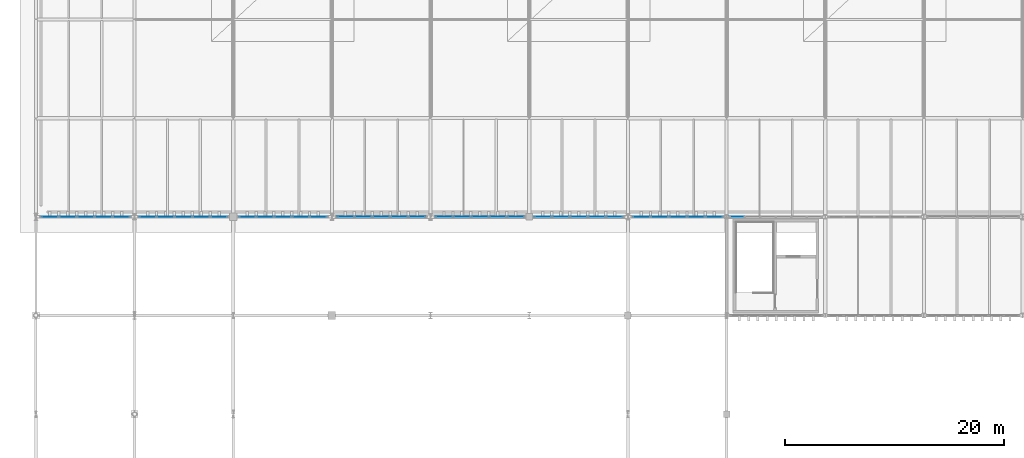
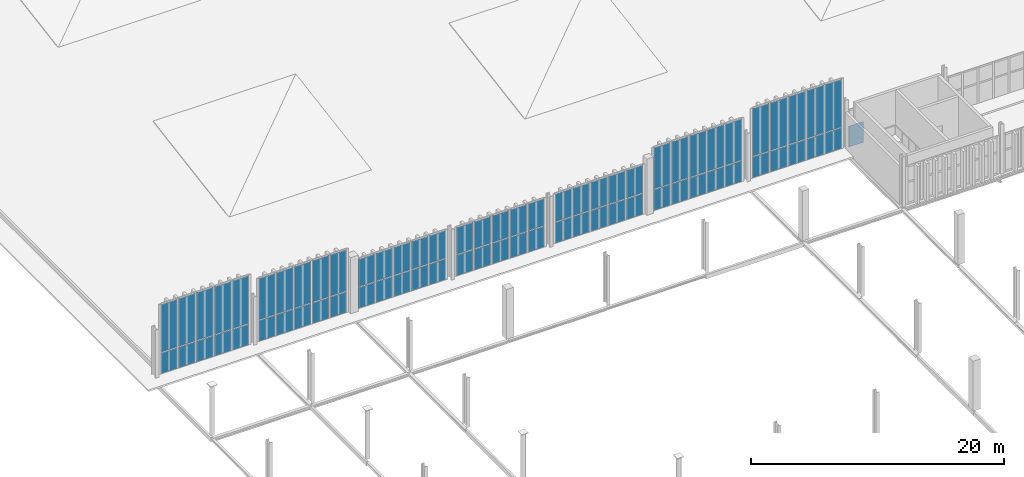
# One storey, part 157 of 196: 71 plates, 8 elements without a shape of their own.
"""IFC4 building model written with IfcOpenShell, lengths in metres."""

from ifc_helpers import new_model, si_unit, direction, frame, origin, origin_2d, place, context, subcontext, project, spatial, rectangle, extrude, material, layer, layer_set, type_object, element, aggregate, save


model = new_model("IFC4")

# Units and contexts
model_context = context("Model", 3, precision=1e-05, world=origin(), true_north=direction((0.0, 1.0)))
body_context = subcontext(model_context, "Body", "Model", "MODEL_VIEW")
ifc_project = project(units=[si_unit("LENGTHUNIT", "METRE"), si_unit("AREAUNIT", "SQUARE_METRE"), si_unit("VOLUMEUNIT", "CUBIC_METRE"), si_unit("PLANEANGLEUNIT", "RADIAN"), si_unit("MASSUNIT", "GRAM", prefix="KILO")], contexts=[model_context])

# Site, building, storey
site_placement = place(None, origin())
site = spatial("IfcSite", under=ifc_project, at=site_placement, CompositionType="ELEMENT")
building_placement = place(site_placement, origin())
building = spatial("IfcBuilding", under=site, at=building_placement, Name="Barlavento Convention Centre", CompositionType="ELEMENT")
storey_placement = place(building_placement, frame((0.0, 0.0, 18.0)))
storey = spatial("IfcBuildingStorey", under=building, at=storey_placement, Name="L03", CompositionType="ELEMENT", Elevation=18.0)

# Curtain wall, plate
ifc_material_1 = material(Name="Powder-coated aluminium and Low-E glass", Category="aluminium")
ifc_layer_1 = layer(ifc_material_1, 0.179931640625)
ifc_layer_set_1 = layer_set([ifc_layer_1], Name="ARC-CW-CONF-L03")
curtain_wall_type_1 = type_object("IfcCurtainWallType", Name="ARC-CW-CONF-L03", PredefinedType="NOTDEFINED", material=ifc_layer_set_1)
curtain_wall_1_placement = place(storey_placement, origin())
curtain_wall_1 = element("IfcCurtainWall", 1, at=curtain_wall_1_placement, inside=storey, type_object=curtain_wall_type_1, Name="L03 unitised curtain wall CW08", PredefinedType="NOTDEFINED")
ifc_material_2 = material(Name="Double-silver Low-E insulated glass", Category="glass")
ifc_layer_2 = layer(ifc_material_2, 0.028076171875)
ifc_layer_set_2 = layer_set([ifc_layer_2], Name="ARC-CWP-GLZ28")
plate_type_1 = type_object("IfcPlateType", Name="ARC-CWP-GLZ28", PredefinedType="CURTAIN_PANEL", material=ifc_layer_set_2)
plate_1_placement = place(storey_placement, frame((63.96240234375, 54.0, 0.06005859375), z_axis=(0.0, 0.0, 1.0), x_axis=(1.0, 0.0, 0.0)))
plate_1 = element("IfcPlate", 2, at=plate_1_placement, type_object=plate_type_1, Name="CW08 panel 1.1", PredefinedType="CURTAIN_PANEL", context=body_context, shape_type="SweptSolid", body=[
    extrude(rectangle(XDim=1.324951171875, YDim=0.028076171875, at=origin_2d()), origin(), (0.0, 0.0, 1.0), 2.010009765625),
])
aggregate(curtain_wall_1, [plate_1])

# Curtain wall, plates
ifc_layer_3 = layer(ifc_material_1, 0.18994140625)
ifc_layer_set_3 = layer_set([ifc_layer_3], Name="ARC-CW-CONG-L02")
curtain_wall_type_2 = type_object("IfcCurtainWallType", Name="ARC-CW-CONG-L02", PredefinedType="NOTDEFINED", material=ifc_layer_set_3)
curtain_wall_2_placement = place(storey_placement, origin())
curtain_wall_2 = element("IfcCurtainWall", 3, at=curtain_wall_2_placement, inside=storey, type_object=curtain_wall_type_2, Name="L03 unitised curtain wall CW02", PredefinedType="NOTDEFINED")
ifc_material_3 = material(Name="Triple-glazed typhoon vision glass", Category="glass")
ifc_layer_4 = layer(ifc_material_3, 0.035888671875)
ifc_layer_set_4 = layer_set([ifc_layer_4], Name="ARC-CWP-GLZ36")
plate_type_2 = type_object("IfcPlateType", Name="ARC-CWP-GLZ36", PredefinedType="CURTAIN_PANEL", material=ifc_layer_set_4)
plate_2_placement = place(storey_placement, frame((1.277099609375, 54.0, 0.169921875), z_axis=(0.0, 0.0, 1.0), x_axis=(1.0, 0.0, 0.0)))
plate_2 = element("IfcPlate", 4, at=plate_2_placement, type_object=plate_type_2, Name="CW02 panel 1.1", PredefinedType="CURTAIN_PANEL", context=body_context, shape_type="SweptSolid", body=[
    extrude(rectangle(XDim=1.5263671875, YDim=0.035888671875, at=origin_2d()), origin(), (0.0, 0.0, 1.0), 1.9951171875),
])
plate_3_placement = place(storey_placement, frame((1.277099609375, 54.0, 2.235107421875), z_axis=(0.0, 0.0, 1.0), x_axis=(1.0, 0.0, 0.0)))
plate_3 = element("IfcPlate", 5, at=plate_3_placement, type_object=plate_type_2, Name="CW02 panel 1.2", PredefinedType="CURTAIN_PANEL", context=body_context, shape_type="SweptSolid", body=[
    extrude(rectangle(XDim=1.5263671875, YDim=0.035888671875, at=origin_2d()), origin(), (0.0, 0.0, 1.0), 4.60595703125),
])
plate_4_placement = place(storey_placement, frame((2.897216796875, 54.0, 0.169921875), z_axis=(0.0, 0.0, 1.0), x_axis=(1.0, 0.0, 0.0)))
plate_4 = element("IfcPlate", 6, at=plate_4_placement, type_object=plate_type_2, Name="CW02 panel 2.1", PredefinedType="CURTAIN_PANEL", context=body_context, shape_type="SweptSolid", body=[
    extrude(rectangle(XDim=1.563720703125, YDim=0.035888671875, at=origin_2d()), origin(), (0.0, 0.0, 1.0), 1.9951171875),
])
plate_5_placement = place(storey_placement, frame((2.897216796875, 54.0, 2.235107421875), z_axis=(0.0, 0.0, 1.0), x_axis=(1.0, 0.0, 0.0)))
plate_5 = element("IfcPlate", 7, at=plate_5_placement, type_object=plate_type_2, Name="CW02 panel 2.2", PredefinedType="CURTAIN_PANEL", context=body_context, shape_type="SweptSolid", body=[
    extrude(rectangle(XDim=1.563720703125, YDim=0.035888671875, at=origin_2d()), origin(), (0.0, 0.0, 1.0), 4.60595703125),
])
plate_6_placement = place(storey_placement, frame((4.535888671875, 54.0, 0.169921875), z_axis=(0.0, 0.0, 1.0), x_axis=(1.0, 0.0, 0.0)))
plate_6 = element("IfcPlate", 8, at=plate_6_placement, type_object=plate_type_2, Name="CW02 panel 3.1", PredefinedType="CURTAIN_PANEL", context=body_context, shape_type="SweptSolid", body=[
    extrude(rectangle(XDim=1.563720703125, YDim=0.035888671875, at=origin_2d()), origin(), (0.0, 0.0, 1.0), 1.9951171875),
])
plate_7_placement = place(storey_placement, frame((4.535888671875, 54.0, 2.235107421875), z_axis=(0.0, 0.0, 1.0), x_axis=(1.0, 0.0, 0.0)))
plate_7 = element("IfcPlate", 9, at=plate_7_placement, type_object=plate_type_2, Name="CW02 panel 3.2", PredefinedType="CURTAIN_PANEL", context=body_context, shape_type="SweptSolid", body=[
    extrude(rectangle(XDim=1.563720703125, YDim=0.035888671875, at=origin_2d()), origin(), (0.0, 0.0, 1.0), 4.60595703125),
])
plate_8_placement = place(storey_placement, frame((6.1748046875, 54.0, 0.169921875), z_axis=(0.0, 0.0, 1.0), x_axis=(1.0, 0.0, 0.0)))
plate_8 = element("IfcPlate", 10, at=plate_8_placement, type_object=plate_type_2, Name="CW02 panel 4.1", PredefinedType="CURTAIN_PANEL", context=body_context, shape_type="SweptSolid", body=[
    extrude(rectangle(XDim=1.563720703125, YDim=0.035888671875, at=origin_2d()), origin(), (0.0, 0.0, 1.0), 1.9951171875),
])
plate_9_placement = place(storey_placement, frame((6.1748046875, 54.0, 2.235107421875), z_axis=(0.0, 0.0, 1.0), x_axis=(1.0, 0.0, 0.0)))
plate_9 = element("IfcPlate", 11, at=plate_9_placement, type_object=plate_type_2, Name="CW02 panel 4.2", PredefinedType="CURTAIN_PANEL", context=body_context, shape_type="SweptSolid", body=[
    extrude(rectangle(XDim=1.563720703125, YDim=0.035888671875, at=origin_2d()), origin(), (0.0, 0.0, 1.0), 4.60595703125),
])
plate_10_placement = place(storey_placement, frame((7.794921875, 54.0, 0.169921875), z_axis=(0.0, 0.0, 1.0), x_axis=(1.0, 0.0, 0.0)))
plate_10 = element("IfcPlate", 12, at=plate_10_placement, type_object=plate_type_2, Name="CW02 panel 5.1", PredefinedType="CURTAIN_PANEL", context=body_context, shape_type="SweptSolid", body=[
    extrude(rectangle(XDim=1.5263671875, YDim=0.035888671875, at=origin_2d()), origin(), (0.0, 0.0, 1.0), 1.9951171875),
])
plate_11_placement = place(storey_placement, frame((7.794921875, 54.0, 2.235107421875), z_axis=(0.0, 0.0, 1.0), x_axis=(1.0, 0.0, 0.0)))
plate_11 = element("IfcPlate", 13, at=plate_11_placement, type_object=plate_type_2, Name="CW02 panel 5.2", PredefinedType="CURTAIN_PANEL", context=body_context, shape_type="SweptSolid", body=[
    extrude(rectangle(XDim=1.5263671875, YDim=0.035888671875, at=origin_2d()), origin(), (0.0, 0.0, 1.0), 4.60595703125),
])
aggregate(curtain_wall_2, [plate_2, plate_3, plate_4, plate_5, plate_6, plate_7, plate_8, plate_9, plate_10, plate_11])

curtain_wall_3_placement = place(storey_placement, origin())
curtain_wall_3 = element("IfcCurtainWall", 14, at=curtain_wall_3_placement, inside=storey, type_object=curtain_wall_type_2, Name="L03 unitised curtain wall CW02", PredefinedType="NOTDEFINED")
plate_12_placement = place(storey_placement, frame((10.20361328125, 54.0, 0.169921875), z_axis=(0.0, 0.0, 1.0), x_axis=(1.0, 0.0, 0.0)))
plate_12 = element("IfcPlate", 15, at=plate_12_placement, type_object=plate_type_2, Name="CW02 panel 1.1", PredefinedType="CURTAIN_PANEL", context=body_context, shape_type="SweptSolid", body=[
    extrude(rectangle(XDim=1.523193359375, YDim=0.035888671875, at=origin_2d()), origin(), (0.0, 0.0, 1.0), 1.9951171875),
])
plate_13_placement = place(storey_placement, frame((10.20361328125, 54.0, 2.23486328125), z_axis=(0.0, 0.0, 1.0), x_axis=(1.0, 0.0, 0.0)))
plate_13 = element("IfcPlate", 16, at=plate_13_placement, type_object=plate_type_2, Name="CW02 panel 1.2", PredefinedType="CURTAIN_PANEL", context=body_context, shape_type="SweptSolid", body=[
    extrude(rectangle(XDim=1.523193359375, YDim=0.035888671875, at=origin_2d()), origin(), (0.0, 0.0, 1.0), 3.988037109375),
])
plate_14_placement = place(storey_placement, frame((11.8203125, 54.0, 0.169921875), z_axis=(0.0, 0.0, 1.0), x_axis=(1.0, 0.0, 0.0)))
plate_14 = element("IfcPlate", 17, at=plate_14_placement, type_object=plate_type_2, Name="CW02 panel 2.1", PredefinedType="CURTAIN_PANEL", context=body_context, shape_type="SweptSolid", body=[
    extrude(rectangle(XDim=1.560546875, YDim=0.035888671875, at=origin_2d()), origin(), (0.0, 0.0, 1.0), 1.9951171875),
])
plate_15_placement = place(storey_placement, frame((11.8203125, 54.0, 2.23486328125), z_axis=(0.0, 0.0, 1.0), x_axis=(1.0, 0.0, 0.0)))
plate_15 = element("IfcPlate", 18, at=plate_15_placement, type_object=plate_type_2, Name="CW02 panel 2.2", PredefinedType="CURTAIN_PANEL", context=body_context, shape_type="SweptSolid", body=[
    extrude(rectangle(XDim=1.560546875, YDim=0.035888671875, at=origin_2d()), origin(), (0.0, 0.0, 1.0), 3.988037109375),
])
plate_16_placement = place(storey_placement, frame((13.4560546875, 54.0, 0.169921875), z_axis=(0.0, 0.0, 1.0), x_axis=(1.0, 0.0, 0.0)))
plate_16 = element("IfcPlate", 19, at=plate_16_placement, type_object=plate_type_2, Name="CW02 panel 3.1", PredefinedType="CURTAIN_PANEL", context=body_context, shape_type="SweptSolid", body=[
    extrude(rectangle(XDim=1.560546875, YDim=0.035888671875, at=origin_2d()), origin(), (0.0, 0.0, 1.0), 1.9951171875),
])
plate_17_placement = place(storey_placement, frame((13.4560546875, 54.0, 2.23486328125), z_axis=(0.0, 0.0, 1.0), x_axis=(1.0, 0.0, 0.0)))
plate_17 = element("IfcPlate", 20, at=plate_17_placement, type_object=plate_type_2, Name="CW02 panel 3.2", PredefinedType="CURTAIN_PANEL", context=body_context, shape_type="SweptSolid", body=[
    extrude(rectangle(XDim=1.560546875, YDim=0.035888671875, at=origin_2d()), origin(), (0.0, 0.0, 1.0), 3.988037109375),
])
plate_18_placement = place(storey_placement, frame((15.091552734375, 54.0, 0.169921875), z_axis=(0.0, 0.0, 1.0), x_axis=(1.0, 0.0, 0.0)))
plate_18 = element("IfcPlate", 21, at=plate_18_placement, type_object=plate_type_2, Name="CW02 panel 4.1", PredefinedType="CURTAIN_PANEL", context=body_context, shape_type="SweptSolid", body=[
    extrude(rectangle(XDim=1.560546875, YDim=0.035888671875, at=origin_2d()), origin(), (0.0, 0.0, 1.0), 1.9951171875),
])
plate_19_placement = place(storey_placement, frame((15.091552734375, 54.0, 2.23486328125), z_axis=(0.0, 0.0, 1.0), x_axis=(1.0, 0.0, 0.0)))
plate_19 = element("IfcPlate", 22, at=plate_19_placement, type_object=plate_type_2, Name="CW02 panel 4.2", PredefinedType="CURTAIN_PANEL", context=body_context, shape_type="SweptSolid", body=[
    extrude(rectangle(XDim=1.560546875, YDim=0.035888671875, at=origin_2d()), origin(), (0.0, 0.0, 1.0), 3.988037109375),
])
plate_20_placement = place(storey_placement, frame((16.70849609375, 54.0, 0.169921875), z_axis=(0.0, 0.0, 1.0), x_axis=(1.0, 0.0, 0.0)))
plate_20 = element("IfcPlate", 23, at=plate_20_placement, type_object=plate_type_2, Name="CW02 panel 5.1", PredefinedType="CURTAIN_PANEL", context=body_context, shape_type="SweptSolid", body=[
    extrude(rectangle(XDim=1.523193359375, YDim=0.035888671875, at=origin_2d()), origin(), (0.0, 0.0, 1.0), 1.9951171875),
])
plate_21_placement = place(storey_placement, frame((16.70849609375, 54.0, 2.23486328125), z_axis=(0.0, 0.0, 1.0), x_axis=(1.0, 0.0, 0.0)))
plate_21 = element("IfcPlate", 24, at=plate_21_placement, type_object=plate_type_2, Name="CW02 panel 5.2", PredefinedType="CURTAIN_PANEL", context=body_context, shape_type="SweptSolid", body=[
    extrude(rectangle(XDim=1.523193359375, YDim=0.035888671875, at=origin_2d()), origin(), (0.0, 0.0, 1.0), 3.988037109375),
])
aggregate(curtain_wall_3, [plate_12, plate_13, plate_14, plate_15, plate_16, plate_17, plate_18, plate_19, plate_20, plate_21])

curtain_wall_4_placement = place(storey_placement, origin())
curtain_wall_4 = element("IfcCurtainWall", 25, at=curtain_wall_4_placement, inside=storey, type_object=curtain_wall_type_2, Name="L03 unitised curtain wall CW02", PredefinedType="NOTDEFINED")
plate_22_placement = place(storey_placement, frame((19.286865234375, 54.0, 0.169921875), z_axis=(0.0, 0.0, 1.0), x_axis=(1.0, 0.0, 0.0)))
plate_22 = element("IfcPlate", 26, at=plate_22_placement, type_object=plate_type_2, Name="CW02 panel 1.1", PredefinedType="CURTAIN_PANEL", context=body_context, shape_type="SweptSolid", body=[
    extrude(rectangle(XDim=1.513427734375, YDim=0.035888671875, at=origin_2d()), origin(), (0.0, 0.0, 1.0), 1.9951171875),
])
plate_23_placement = place(storey_placement, frame((19.286865234375, 54.0, 2.235107421875), z_axis=(0.0, 0.0, 1.0), x_axis=(1.0, 0.0, 0.0)))
plate_23 = element("IfcPlate", 27, at=plate_23_placement, type_object=plate_type_2, Name="CW02 panel 1.2", PredefinedType="CURTAIN_PANEL", context=body_context, shape_type="SweptSolid", body=[
    extrude(rectangle(XDim=1.513427734375, YDim=0.035888671875, at=origin_2d()), origin(), (0.0, 0.0, 1.0), 2.6708984375),
])
plate_24_placement = place(storey_placement, frame((20.89404296875, 54.0, 0.169921875), z_axis=(0.0, 0.0, 1.0), x_axis=(1.0, 0.0, 0.0)))
plate_24 = element("IfcPlate", 28, at=plate_24_placement, type_object=plate_type_2, Name="CW02 panel 2.1", PredefinedType="CURTAIN_PANEL", context=body_context, shape_type="SweptSolid", body=[
    extrude(rectangle(XDim=1.551025390625, YDim=0.035888671875, at=origin_2d()), origin(), (0.0, 0.0, 1.0), 1.9951171875),
])
plate_25_placement = place(storey_placement, frame((20.89404296875, 54.0, 2.235107421875), z_axis=(0.0, 0.0, 1.0), x_axis=(1.0, 0.0, 0.0)))
plate_25 = element("IfcPlate", 29, at=plate_25_placement, type_object=plate_type_2, Name="CW02 panel 2.2", PredefinedType="CURTAIN_PANEL", context=body_context, shape_type="SweptSolid", body=[
    extrude(rectangle(XDim=1.551025390625, YDim=0.035888671875, at=origin_2d()), origin(), (0.0, 0.0, 1.0), 2.6708984375),
])
plate_26_placement = place(storey_placement, frame((22.52001953125, 54.0, 0.169921875), z_axis=(0.0, 0.0, 1.0), x_axis=(1.0, 0.0, 0.0)))
plate_26 = element("IfcPlate", 30, at=plate_26_placement, type_object=plate_type_2, Name="CW02 panel 3.1", PredefinedType="CURTAIN_PANEL", context=body_context, shape_type="SweptSolid", body=[
    extrude(rectangle(XDim=1.551025390625, YDim=0.035888671875, at=origin_2d()), origin(), (0.0, 0.0, 1.0), 1.9951171875),
])
plate_27_placement = place(storey_placement, frame((22.52001953125, 54.0, 2.235107421875), z_axis=(0.0, 0.0, 1.0), x_axis=(1.0, 0.0, 0.0)))
plate_27 = element("IfcPlate", 31, at=plate_27_placement, type_object=plate_type_2, Name="CW02 panel 3.2", PredefinedType="CURTAIN_PANEL", context=body_context, shape_type="SweptSolid", body=[
    extrude(rectangle(XDim=1.551025390625, YDim=0.035888671875, at=origin_2d()), origin(), (0.0, 0.0, 1.0), 2.6708984375),
])
plate_28_placement = place(storey_placement, frame((24.14599609375, 54.0, 0.169921875), z_axis=(0.0, 0.0, 1.0), x_axis=(1.0, 0.0, 0.0)))
plate_28 = element("IfcPlate", 32, at=plate_28_placement, type_object=plate_type_2, Name="CW02 panel 4.1", PredefinedType="CURTAIN_PANEL", context=body_context, shape_type="SweptSolid", body=[
    extrude(rectangle(XDim=1.551025390625, YDim=0.035888671875, at=origin_2d()), origin(), (0.0, 0.0, 1.0), 1.9951171875),
])
plate_29_placement = place(storey_placement, frame((24.14599609375, 54.0, 2.235107421875), z_axis=(0.0, 0.0, 1.0), x_axis=(1.0, 0.0, 0.0)))
plate_29 = element("IfcPlate", 33, at=plate_29_placement, type_object=plate_type_2, Name="CW02 panel 4.2", PredefinedType="CURTAIN_PANEL", context=body_context, shape_type="SweptSolid", body=[
    extrude(rectangle(XDim=1.551025390625, YDim=0.035888671875, at=origin_2d()), origin(), (0.0, 0.0, 1.0), 2.6708984375),
])
plate_30_placement = place(storey_placement, frame((25.753173828125, 54.0, 0.169921875), z_axis=(0.0, 0.0, 1.0), x_axis=(1.0, 0.0, 0.0)))
plate_30 = element("IfcPlate", 34, at=plate_30_placement, type_object=plate_type_2, Name="CW02 panel 5.1", PredefinedType="CURTAIN_PANEL", context=body_context, shape_type="SweptSolid", body=[
    extrude(rectangle(XDim=1.513427734375, YDim=0.035888671875, at=origin_2d()), origin(), (0.0, 0.0, 1.0), 1.9951171875),
])
plate_31_placement = place(storey_placement, frame((25.753173828125, 54.0, 2.235107421875), z_axis=(0.0, 0.0, 1.0), x_axis=(1.0, 0.0, 0.0)))
plate_31 = element("IfcPlate", 35, at=plate_31_placement, type_object=plate_type_2, Name="CW02 panel 5.2", PredefinedType="CURTAIN_PANEL", context=body_context, shape_type="SweptSolid", body=[
    extrude(rectangle(XDim=1.513427734375, YDim=0.035888671875, at=origin_2d()), origin(), (0.0, 0.0, 1.0), 2.6708984375),
])
aggregate(curtain_wall_4, [plate_22, plate_23, plate_24, plate_25, plate_26, plate_27, plate_28, plate_29, plate_30, plate_31])

curtain_wall_5_placement = place(storey_placement, origin())
curtain_wall_5 = element("IfcCurtainWall", 36, at=curtain_wall_5_placement, inside=storey, type_object=curtain_wall_type_2, Name="L03 unitised curtain wall CW02", PredefinedType="NOTDEFINED")
plate_32_placement = place(storey_placement, frame((28.251708984375, 54.0, 0.169921875), z_axis=(0.0, 0.0, 1.0), x_axis=(1.0, 0.0, 0.0)))
plate_32 = element("IfcPlate", 37, at=plate_32_placement, type_object=plate_type_2, Name="CW02 panel 1.1", PredefinedType="CURTAIN_PANEL", context=body_context, shape_type="SweptSolid", body=[
    extrude(rectangle(XDim=1.5234375, YDim=0.035888671875, at=origin_2d()), origin(), (0.0, 0.0, 1.0), 1.9951171875),
])
plate_33_placement = place(storey_placement, frame((28.251708984375, 54.0, 2.235107421875), z_axis=(0.0, 0.0, 1.0), x_axis=(1.0, 0.0, 0.0)))
plate_33 = element("IfcPlate", 38, at=plate_33_placement, type_object=plate_type_2, Name="CW02 panel 1.2", PredefinedType="CURTAIN_PANEL", context=body_context, shape_type="SweptSolid", body=[
    extrude(rectangle(XDim=1.5234375, YDim=0.035888671875, at=origin_2d()), origin(), (0.0, 0.0, 1.0), 2.583984375),
])
plate_34_placement = place(storey_placement, frame((29.868896484375, 54.0, 0.169921875), z_axis=(0.0, 0.0, 1.0), x_axis=(1.0, 0.0, 0.0)))
plate_34 = element("IfcPlate", 39, at=plate_34_placement, type_object=plate_type_2, Name="CW02 panel 2.1", PredefinedType="CURTAIN_PANEL", context=body_context, shape_type="SweptSolid", body=[
    extrude(rectangle(XDim=1.56103515625, YDim=0.035888671875, at=origin_2d()), origin(), (0.0, 0.0, 1.0), 1.9951171875),
])
plate_35_placement = place(storey_placement, frame((29.868896484375, 54.0, 2.235107421875), z_axis=(0.0, 0.0, 1.0), x_axis=(1.0, 0.0, 0.0)))
plate_35 = element("IfcPlate", 40, at=plate_35_placement, type_object=plate_type_2, Name="CW02 panel 2.2", PredefinedType="CURTAIN_PANEL", context=body_context, shape_type="SweptSolid", body=[
    extrude(rectangle(XDim=1.56103515625, YDim=0.035888671875, at=origin_2d()), origin(), (0.0, 0.0, 1.0), 2.583984375),
])
plate_36_placement = place(storey_placement, frame((31.5048828125, 54.0, 0.169921875), z_axis=(0.0, 0.0, 1.0), x_axis=(1.0, 0.0, 0.0)))
plate_36 = element("IfcPlate", 41, at=plate_36_placement, type_object=plate_type_2, Name="CW02 panel 3.1", PredefinedType="CURTAIN_PANEL", context=body_context, shape_type="SweptSolid", body=[
    extrude(rectangle(XDim=1.56103515625, YDim=0.035888671875, at=origin_2d()), origin(), (0.0, 0.0, 1.0), 1.9951171875),
])
plate_37_placement = place(storey_placement, frame((31.5048828125, 54.0, 2.235107421875), z_axis=(0.0, 0.0, 1.0), x_axis=(1.0, 0.0, 0.0)))
plate_37 = element("IfcPlate", 42, at=plate_37_placement, type_object=plate_type_2, Name="CW02 panel 3.2", PredefinedType="CURTAIN_PANEL", context=body_context, shape_type="SweptSolid", body=[
    extrude(rectangle(XDim=1.56103515625, YDim=0.035888671875, at=origin_2d()), origin(), (0.0, 0.0, 1.0), 2.583984375),
])
plate_38_placement = place(storey_placement, frame((33.14111328125, 54.0, 0.169921875), z_axis=(0.0, 0.0, 1.0), x_axis=(1.0, 0.0, 0.0)))
plate_38 = element("IfcPlate", 43, at=plate_38_placement, type_object=plate_type_2, Name="CW02 panel 4.1", PredefinedType="CURTAIN_PANEL", context=body_context, shape_type="SweptSolid", body=[
    extrude(rectangle(XDim=1.56103515625, YDim=0.035888671875, at=origin_2d()), origin(), (0.0, 0.0, 1.0), 1.9951171875),
])
plate_39_placement = place(storey_placement, frame((33.14111328125, 54.0, 2.235107421875), z_axis=(0.0, 0.0, 1.0), x_axis=(1.0, 0.0, 0.0)))
plate_39 = element("IfcPlate", 44, at=plate_39_placement, type_object=plate_type_2, Name="CW02 panel 4.2", PredefinedType="CURTAIN_PANEL", context=body_context, shape_type="SweptSolid", body=[
    extrude(rectangle(XDim=1.56103515625, YDim=0.035888671875, at=origin_2d()), origin(), (0.0, 0.0, 1.0), 2.583984375),
])
plate_40_placement = place(storey_placement, frame((34.75830078125, 54.0, 0.169921875), z_axis=(0.0, 0.0, 1.0), x_axis=(1.0, 0.0, 0.0)))
plate_40 = element("IfcPlate", 45, at=plate_40_placement, type_object=plate_type_2, Name="CW02 panel 5.1", PredefinedType="CURTAIN_PANEL", context=body_context, shape_type="SweptSolid", body=[
    extrude(rectangle(XDim=1.5234375, YDim=0.035888671875, at=origin_2d()), origin(), (0.0, 0.0, 1.0), 1.9951171875),
])
plate_41_placement = place(storey_placement, frame((34.75830078125, 54.0, 2.235107421875), z_axis=(0.0, 0.0, 1.0), x_axis=(1.0, 0.0, 0.0)))
plate_41 = element("IfcPlate", 46, at=plate_41_placement, type_object=plate_type_2, Name="CW02 panel 5.2", PredefinedType="CURTAIN_PANEL", context=body_context, shape_type="SweptSolid", body=[
    extrude(rectangle(XDim=1.5234375, YDim=0.035888671875, at=origin_2d()), origin(), (0.0, 0.0, 1.0), 2.583984375),
])
aggregate(curtain_wall_5, [plate_32, plate_33, plate_34, plate_35, plate_36, plate_37, plate_38, plate_39, plate_40, plate_41])

curtain_wall_6_placement = place(storey_placement, origin())
curtain_wall_6 = element("IfcCurtainWall", 47, at=curtain_wall_6_placement, inside=storey, type_object=curtain_wall_type_2, Name="L03 unitised curtain wall CW02", PredefinedType="NOTDEFINED")
plate_42_placement = place(storey_placement, frame((37.24267578125, 54.0, 0.169921875), z_axis=(0.0, 0.0, 1.0), x_axis=(1.0, 0.0, 0.0)))
plate_42 = element("IfcPlate", 48, at=plate_42_placement, type_object=plate_type_2, Name="CW02 panel 1.1", PredefinedType="CURTAIN_PANEL", context=body_context, shape_type="SweptSolid", body=[
    extrude(rectangle(XDim=1.525390625, YDim=0.035888671875, at=origin_2d()), origin(), (0.0, 0.0, 1.0), 1.9951171875),
])
plate_43_placement = place(storey_placement, frame((37.24267578125, 54.0, 2.235107421875), z_axis=(0.0, 0.0, 1.0), x_axis=(1.0, 0.0, 0.0)))
plate_43 = element("IfcPlate", 49, at=plate_43_placement, type_object=plate_type_2, Name="CW02 panel 1.2", PredefinedType="CURTAIN_PANEL", context=body_context, shape_type="SweptSolid", body=[
    extrude(rectangle(XDim=1.525390625, YDim=0.035888671875, at=origin_2d()), origin(), (0.0, 0.0, 1.0), 2.6708984375),
])
plate_44_placement = place(storey_placement, frame((38.862060546875, 54.0, 0.169921875), z_axis=(0.0, 0.0, 1.0), x_axis=(1.0, 0.0, 0.0)))
plate_44 = element("IfcPlate", 50, at=plate_44_placement, type_object=plate_type_2, Name="CW02 panel 2.1", PredefinedType="CURTAIN_PANEL", context=body_context, shape_type="SweptSolid", body=[
    extrude(rectangle(XDim=1.56298828125, YDim=0.035888671875, at=origin_2d()), origin(), (0.0, 0.0, 1.0), 1.9951171875),
])
plate_45_placement = place(storey_placement, frame((38.862060546875, 54.0, 2.235107421875), z_axis=(0.0, 0.0, 1.0), x_axis=(1.0, 0.0, 0.0)))
plate_45 = element("IfcPlate", 51, at=plate_45_placement, type_object=plate_type_2, Name="CW02 panel 2.2", PredefinedType="CURTAIN_PANEL", context=body_context, shape_type="SweptSolid", body=[
    extrude(rectangle(XDim=1.56298828125, YDim=0.035888671875, at=origin_2d()), origin(), (0.0, 0.0, 1.0), 2.6708984375),
])
plate_46_placement = place(storey_placement, frame((40.5, 54.0, 0.169921875), z_axis=(0.0, 0.0, 1.0), x_axis=(1.0, 0.0, 0.0)))
plate_46 = element("IfcPlate", 52, at=plate_46_placement, type_object=plate_type_2, Name="CW02 panel 3.1", PredefinedType="CURTAIN_PANEL", context=body_context, shape_type="SweptSolid", body=[
    extrude(rectangle(XDim=1.56298828125, YDim=0.035888671875, at=origin_2d()), origin(), (0.0, 0.0, 1.0), 1.9951171875),
])
plate_47_placement = place(storey_placement, frame((40.5, 54.0, 2.235107421875), z_axis=(0.0, 0.0, 1.0), x_axis=(1.0, 0.0, 0.0)))
plate_47 = element("IfcPlate", 53, at=plate_47_placement, type_object=plate_type_2, Name="CW02 panel 3.2", PredefinedType="CURTAIN_PANEL", context=body_context, shape_type="SweptSolid", body=[
    extrude(rectangle(XDim=1.56298828125, YDim=0.035888671875, at=origin_2d()), origin(), (0.0, 0.0, 1.0), 2.6708984375),
])
plate_48_placement = place(storey_placement, frame((42.137939453125, 54.0, 0.169921875), z_axis=(0.0, 0.0, 1.0), x_axis=(1.0, 0.0, 0.0)))
plate_48 = element("IfcPlate", 54, at=plate_48_placement, type_object=plate_type_2, Name="CW02 panel 4.1", PredefinedType="CURTAIN_PANEL", context=body_context, shape_type="SweptSolid", body=[
    extrude(rectangle(XDim=1.56298828125, YDim=0.035888671875, at=origin_2d()), origin(), (0.0, 0.0, 1.0), 1.9951171875),
])
plate_49_placement = place(storey_placement, frame((42.137939453125, 54.0, 2.235107421875), z_axis=(0.0, 0.0, 1.0), x_axis=(1.0, 0.0, 0.0)))
plate_49 = element("IfcPlate", 55, at=plate_49_placement, type_object=plate_type_2, Name="CW02 panel 4.2", PredefinedType="CURTAIN_PANEL", context=body_context, shape_type="SweptSolid", body=[
    extrude(rectangle(XDim=1.56298828125, YDim=0.035888671875, at=origin_2d()), origin(), (0.0, 0.0, 1.0), 2.6708984375),
])
plate_50_placement = place(storey_placement, frame((43.75732421875, 54.0, 0.169921875), z_axis=(0.0, 0.0, 1.0), x_axis=(1.0, 0.0, 0.0)))
plate_50 = element("IfcPlate", 56, at=plate_50_placement, type_object=plate_type_2, Name="CW02 panel 5.1", PredefinedType="CURTAIN_PANEL", context=body_context, shape_type="SweptSolid", body=[
    extrude(rectangle(XDim=1.525390625, YDim=0.035888671875, at=origin_2d()), origin(), (0.0, 0.0, 1.0), 1.9951171875),
])
plate_51_placement = place(storey_placement, frame((43.75732421875, 54.0, 2.235107421875), z_axis=(0.0, 0.0, 1.0), x_axis=(1.0, 0.0, 0.0)))
plate_51 = element("IfcPlate", 57, at=plate_51_placement, type_object=plate_type_2, Name="CW02 panel 5.2", PredefinedType="CURTAIN_PANEL", context=body_context, shape_type="SweptSolid", body=[
    extrude(rectangle(XDim=1.525390625, YDim=0.035888671875, at=origin_2d()), origin(), (0.0, 0.0, 1.0), 2.6708984375),
])
aggregate(curtain_wall_6, [plate_42, plate_43, plate_44, plate_45, plate_46, plate_47, plate_48, plate_49, plate_50, plate_51])

curtain_wall_7_placement = place(storey_placement, origin())
curtain_wall_7 = element("IfcCurtainWall", 58, at=curtain_wall_7_placement, inside=storey, type_object=curtain_wall_type_2, Name="L03 unitised curtain wall CW02", PredefinedType="NOTDEFINED")
plate_52_placement = place(storey_placement, frame((46.244140625, 54.0, 0.169921875), z_axis=(0.0, 0.0, 1.0), x_axis=(1.0, 0.0, 0.0)))
plate_52 = element("IfcPlate", 59, at=plate_52_placement, type_object=plate_type_2, Name="CW02 panel 1.1", PredefinedType="CURTAIN_PANEL", context=body_context, shape_type="SweptSolid", body=[
    extrude(rectangle(XDim=1.5283203125, YDim=0.035888671875, at=origin_2d()), origin(), (0.0, 0.0, 1.0), 1.9951171875),
])
plate_53_placement = place(storey_placement, frame((46.244140625, 54.0, 2.23486328125), z_axis=(0.0, 0.0, 1.0), x_axis=(1.0, 0.0, 0.0)))
plate_53 = element("IfcPlate", 60, at=plate_53_placement, type_object=plate_type_2, Name="CW02 panel 1.2", PredefinedType="CURTAIN_PANEL", context=body_context, shape_type="SweptSolid", body=[
    extrude(rectangle(XDim=1.5283203125, YDim=0.035888671875, at=origin_2d()), origin(), (0.0, 0.0, 1.0), 3.988037109375),
])
plate_54_placement = place(storey_placement, frame((47.8662109375, 54.0, 0.169921875), z_axis=(0.0, 0.0, 1.0), x_axis=(1.0, 0.0, 0.0)))
plate_54 = element("IfcPlate", 61, at=plate_54_placement, type_object=plate_type_2, Name="CW02 panel 2.1", PredefinedType="CURTAIN_PANEL", context=body_context, shape_type="SweptSolid", body=[
    extrude(rectangle(XDim=1.56591796875, YDim=0.035888671875, at=origin_2d()), origin(), (0.0, 0.0, 1.0), 1.9951171875),
])
plate_55_placement = place(storey_placement, frame((47.8662109375, 54.0, 2.23486328125), z_axis=(0.0, 0.0, 1.0), x_axis=(1.0, 0.0, 0.0)))
plate_55 = element("IfcPlate", 62, at=plate_55_placement, type_object=plate_type_2, Name="CW02 panel 2.2", PredefinedType="CURTAIN_PANEL", context=body_context, shape_type="SweptSolid", body=[
    extrude(rectangle(XDim=1.56591796875, YDim=0.035888671875, at=origin_2d()), origin(), (0.0, 0.0, 1.0), 3.988037109375),
])
plate_56_placement = place(storey_placement, frame((49.507080078125, 54.0, 0.169921875), z_axis=(0.0, 0.0, 1.0), x_axis=(1.0, 0.0, 0.0)))
plate_56 = element("IfcPlate", 63, at=plate_56_placement, type_object=plate_type_2, Name="CW02 panel 3.1", PredefinedType="CURTAIN_PANEL", context=body_context, shape_type="SweptSolid", body=[
    extrude(rectangle(XDim=1.56591796875, YDim=0.035888671875, at=origin_2d()), origin(), (0.0, 0.0, 1.0), 1.9951171875),
])
plate_57_placement = place(storey_placement, frame((49.507080078125, 54.0, 2.23486328125), z_axis=(0.0, 0.0, 1.0), x_axis=(1.0, 0.0, 0.0)))
plate_57 = element("IfcPlate", 64, at=plate_57_placement, type_object=plate_type_2, Name="CW02 panel 3.2", PredefinedType="CURTAIN_PANEL", context=body_context, shape_type="SweptSolid", body=[
    extrude(rectangle(XDim=1.56591796875, YDim=0.035888671875, at=origin_2d()), origin(), (0.0, 0.0, 1.0), 3.988037109375),
])
plate_58_placement = place(storey_placement, frame((51.147705078125, 54.0, 0.169921875), z_axis=(0.0, 0.0, 1.0), x_axis=(1.0, 0.0, 0.0)))
plate_58 = element("IfcPlate", 65, at=plate_58_placement, type_object=plate_type_2, Name="CW02 panel 4.1", PredefinedType="CURTAIN_PANEL", context=body_context, shape_type="SweptSolid", body=[
    extrude(rectangle(XDim=1.56591796875, YDim=0.035888671875, at=origin_2d()), origin(), (0.0, 0.0, 1.0), 1.9951171875),
])
plate_59_placement = place(storey_placement, frame((51.147705078125, 54.0, 2.23486328125), z_axis=(0.0, 0.0, 1.0), x_axis=(1.0, 0.0, 0.0)))
plate_59 = element("IfcPlate", 66, at=plate_59_placement, type_object=plate_type_2, Name="CW02 panel 4.2", PredefinedType="CURTAIN_PANEL", context=body_context, shape_type="SweptSolid", body=[
    extrude(rectangle(XDim=1.56591796875, YDim=0.035888671875, at=origin_2d()), origin(), (0.0, 0.0, 1.0), 3.988037109375),
])
plate_60_placement = place(storey_placement, frame((52.769775390625, 54.0, 0.169921875), z_axis=(0.0, 0.0, 1.0), x_axis=(1.0, 0.0, 0.0)))
plate_60 = element("IfcPlate", 67, at=plate_60_placement, type_object=plate_type_2, Name="CW02 panel 5.1", PredefinedType="CURTAIN_PANEL", context=body_context, shape_type="SweptSolid", body=[
    extrude(rectangle(XDim=1.5283203125, YDim=0.035888671875, at=origin_2d()), origin(), (0.0, 0.0, 1.0), 1.9951171875),
])
plate_61_placement = place(storey_placement, frame((52.769775390625, 54.0, 2.23486328125), z_axis=(0.0, 0.0, 1.0), x_axis=(1.0, 0.0, 0.0)))
plate_61 = element("IfcPlate", 68, at=plate_61_placement, type_object=plate_type_2, Name="CW02 panel 5.2", PredefinedType="CURTAIN_PANEL", context=body_context, shape_type="SweptSolid", body=[
    extrude(rectangle(XDim=1.5283203125, YDim=0.035888671875, at=origin_2d()), origin(), (0.0, 0.0, 1.0), 3.988037109375),
])
aggregate(curtain_wall_7, [plate_52, plate_53, plate_54, plate_55, plate_56, plate_57, plate_58, plate_59, plate_60, plate_61])

curtain_wall_8_placement = place(storey_placement, origin())
curtain_wall_8 = element("IfcCurtainWall", 69, at=curtain_wall_8_placement, inside=storey, type_object=curtain_wall_type_2, Name="L03 unitised curtain wall CW02", PredefinedType="NOTDEFINED")
plate_62_placement = place(storey_placement, frame((55.2431640625, 54.0, 0.169921875), z_axis=(0.0, 0.0, 1.0), x_axis=(1.0, 0.0, 0.0)))
plate_62 = element("IfcPlate", 70, at=plate_62_placement, type_object=plate_type_2, Name="CW02 panel 1.1", PredefinedType="CURTAIN_PANEL", context=body_context, shape_type="SweptSolid", body=[
    extrude(rectangle(XDim=1.55419921875, YDim=0.035888671875, at=origin_2d()), origin(), (0.0, 0.0, 1.0), 1.9951171875),
])
plate_63_placement = place(storey_placement, frame((55.2431640625, 54.0, 2.235107421875), z_axis=(0.0, 0.0, 1.0), x_axis=(1.0, 0.0, 0.0)))
plate_63 = element("IfcPlate", 71, at=plate_63_placement, type_object=plate_type_2, Name="CW02 panel 1.2", PredefinedType="CURTAIN_PANEL", context=body_context, shape_type="SweptSolid", body=[
    extrude(rectangle(XDim=1.55419921875, YDim=0.035888671875, at=origin_2d()), origin(), (0.0, 0.0, 1.0), 4.60595703125),
])
plate_64_placement = place(storey_placement, frame((56.89111328125, 54.0, 0.169921875), z_axis=(0.0, 0.0, 1.0), x_axis=(1.0, 0.0, 0.0)))
plate_64 = element("IfcPlate", 72, at=plate_64_placement, type_object=plate_type_2, Name="CW02 panel 2.1", PredefinedType="CURTAIN_PANEL", context=body_context, shape_type="SweptSolid", body=[
    extrude(rectangle(XDim=1.591796875, YDim=0.035888671875, at=origin_2d()), origin(), (0.0, 0.0, 1.0), 1.9951171875),
])
plate_65_placement = place(storey_placement, frame((56.89111328125, 54.0, 2.235107421875), z_axis=(0.0, 0.0, 1.0), x_axis=(1.0, 0.0, 0.0)))
plate_65 = element("IfcPlate", 73, at=plate_65_placement, type_object=plate_type_2, Name="CW02 panel 2.2", PredefinedType="CURTAIN_PANEL", context=body_context, shape_type="SweptSolid", body=[
    extrude(rectangle(XDim=1.591796875, YDim=0.035888671875, at=origin_2d()), origin(), (0.0, 0.0, 1.0), 4.60595703125),
])
plate_66_placement = place(storey_placement, frame((58.55810546875, 54.0, 0.169921875), z_axis=(0.0, 0.0, 1.0), x_axis=(1.0, 0.0, 0.0)))
plate_66 = element("IfcPlate", 74, at=plate_66_placement, type_object=plate_type_2, Name="CW02 panel 3.1", PredefinedType="CURTAIN_PANEL", context=body_context, shape_type="SweptSolid", body=[
    extrude(rectangle(XDim=1.591796875, YDim=0.035888671875, at=origin_2d()), origin(), (0.0, 0.0, 1.0), 1.9951171875),
])
plate_67_placement = place(storey_placement, frame((58.55810546875, 54.0, 2.235107421875), z_axis=(0.0, 0.0, 1.0), x_axis=(1.0, 0.0, 0.0)))
plate_67 = element("IfcPlate", 75, at=plate_67_placement, type_object=plate_type_2, Name="CW02 panel 3.2", PredefinedType="CURTAIN_PANEL", context=body_context, shape_type="SweptSolid", body=[
    extrude(rectangle(XDim=1.591796875, YDim=0.035888671875, at=origin_2d()), origin(), (0.0, 0.0, 1.0), 4.60595703125),
])
plate_68_placement = place(storey_placement, frame((60.224853515625, 54.0, 0.169921875), z_axis=(0.0, 0.0, 1.0), x_axis=(1.0, 0.0, 0.0)))
plate_68 = element("IfcPlate", 76, at=plate_68_placement, type_object=plate_type_2, Name="CW02 panel 4.1", PredefinedType="CURTAIN_PANEL", context=body_context, shape_type="SweptSolid", body=[
    extrude(rectangle(XDim=1.591796875, YDim=0.035888671875, at=origin_2d()), origin(), (0.0, 0.0, 1.0), 1.9951171875),
])
plate_69_placement = place(storey_placement, frame((60.224853515625, 54.0, 2.235107421875), z_axis=(0.0, 0.0, 1.0), x_axis=(1.0, 0.0, 0.0)))
plate_69 = element("IfcPlate", 77, at=plate_69_placement, type_object=plate_type_2, Name="CW02 panel 4.2", PredefinedType="CURTAIN_PANEL", context=body_context, shape_type="SweptSolid", body=[
    extrude(rectangle(XDim=1.591796875, YDim=0.035888671875, at=origin_2d()), origin(), (0.0, 0.0, 1.0), 4.60595703125),
])
plate_70_placement = place(storey_placement, frame((61.872802734375, 54.0, 0.169921875), z_axis=(0.0, 0.0, 1.0), x_axis=(1.0, 0.0, 0.0)))
plate_70 = element("IfcPlate", 78, at=plate_70_placement, type_object=plate_type_2, Name="CW02 panel 5.1", PredefinedType="CURTAIN_PANEL", context=body_context, shape_type="SweptSolid", body=[
    extrude(rectangle(XDim=1.55419921875, YDim=0.035888671875, at=origin_2d()), origin(), (0.0, 0.0, 1.0), 1.9951171875),
])
plate_71_placement = place(storey_placement, frame((61.872802734375, 54.0, 2.235107421875), z_axis=(0.0, 0.0, 1.0), x_axis=(1.0, 0.0, 0.0)))
plate_71 = element("IfcPlate", 79, at=plate_71_placement, type_object=plate_type_2, Name="CW02 panel 5.2", PredefinedType="CURTAIN_PANEL", context=body_context, shape_type="SweptSolid", body=[
    extrude(rectangle(XDim=1.55419921875, YDim=0.035888671875, at=origin_2d()), origin(), (0.0, 0.0, 1.0), 4.60595703125),
])
aggregate(curtain_wall_8, [plate_62, plate_63, plate_64, plate_65, plate_66, plate_67, plate_68, plate_69, plate_70, plate_71])

save(model, "model.ifc")
